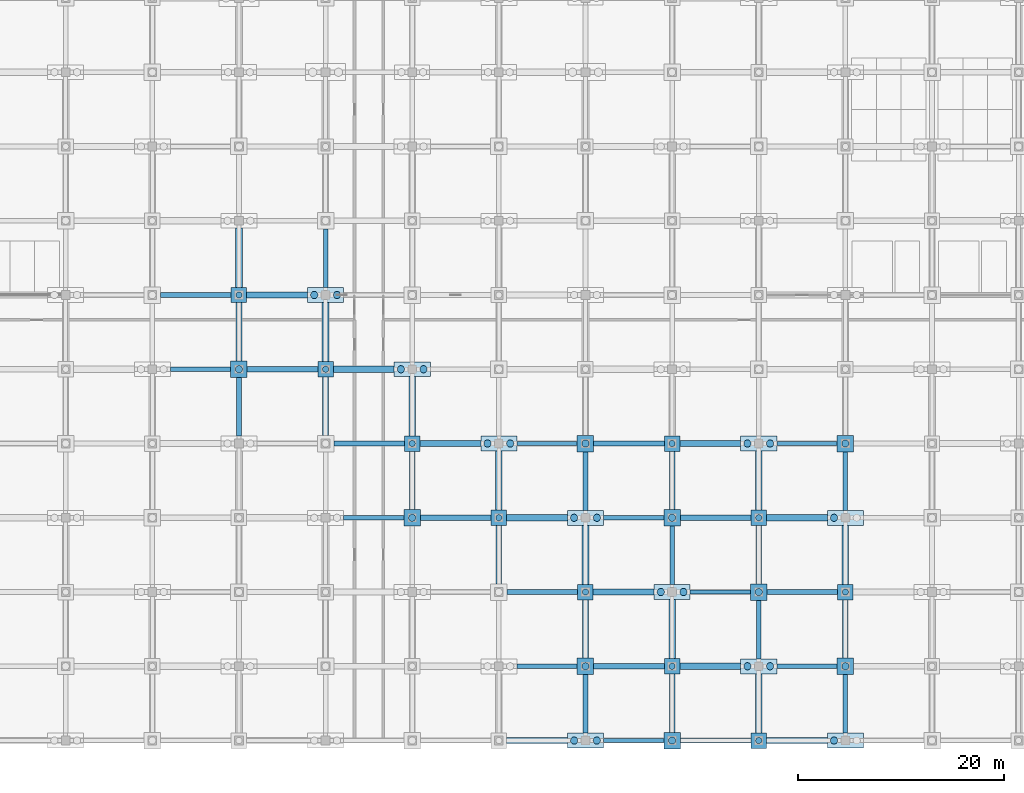
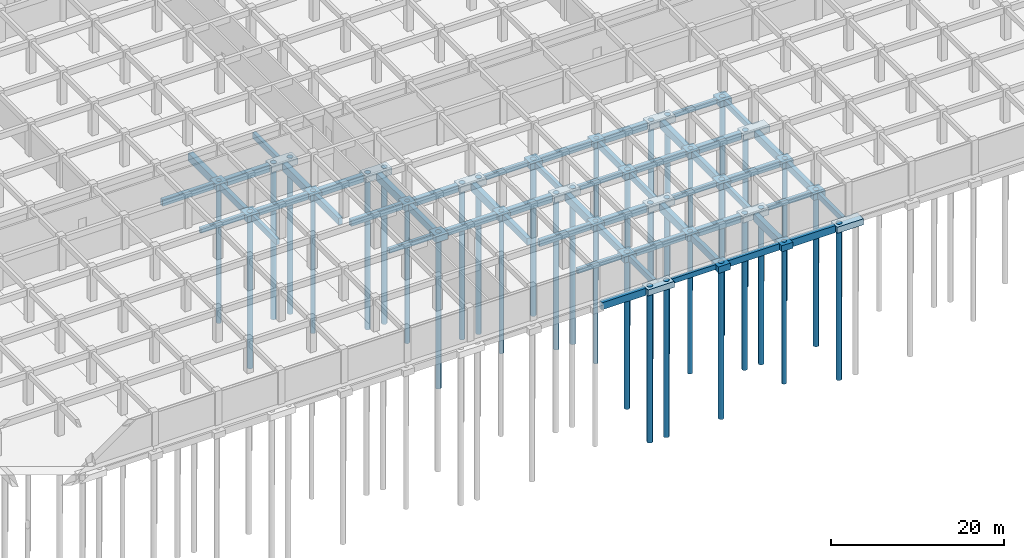
# One storey, part 4 of 85: 84 footings, 37 piles.
"""IFC4 building model written with IfcOpenShell, lengths in metres."""

from ifc_helpers import new_model, si_unit, direction, frame, origin, origin_2d, place, context, subcontext, project, spatial, rectangle, circle, extrude, material, material_profile, profile_set, type_object, element, save


model = new_model("IFC4")

# Units and contexts
model_context = context("Model", 3, precision=1e-05, world=origin(), true_north=direction((0.0, 1.0)))
body_context = subcontext(model_context, "Body", "Model", "MODEL_VIEW")
ifc_project = project(units=[si_unit("LENGTHUNIT", "METRE"), si_unit("AREAUNIT", "SQUARE_METRE"), si_unit("VOLUMEUNIT", "CUBIC_METRE"), si_unit("PLANEANGLEUNIT", "RADIAN"), si_unit("MASSUNIT", "GRAM", prefix="KILO")], contexts=[model_context])

# Site, building, storey
site_placement = place(None, origin())
site = spatial("IfcSite", under=ifc_project, at=site_placement, CompositionType="ELEMENT")
building_placement = place(site_placement, origin())
building = spatial("IfcBuilding", under=site, at=building_placement, Name="Chengyuan Square Courthouse", CompositionType="ELEMENT")
storey_placement = place(building_placement, frame((0.0, 0.0, -10.199951171875)))
storey = spatial("IfcBuildingStorey", under=building, at=storey_placement, Name="B02", CompositionType="ELEMENT", Elevation=-10.199951171875)

# Footings
ifc_material = material(Name="Concrete C40", Category="concrete")
ifc_material_profile_1 = material_profile(ifc_material, rectangle(XDim=0.39990234375, YDim=0.699951171875, at=origin_2d()), Name="GB-400x700")
ifc_profile_set_1 = profile_set([ifc_material_profile_1], Name="Concrete C40")
footing_type_1 = type_object("IfcFootingType", Name="GB-01", PredefinedType="FOOTING_BEAM", material=ifc_profile_set_1)
footing_1_placement = place(storey_placement, frame((102.550048828125, 0.0, -1.150146484375), z_axis=(1.0, 0.0, 0.0), x_axis=(0.0, 1.0, 0.0)))
element("IfcFooting", 1, at=footing_1_placement, inside=storey, type_object=footing_type_1, Name="Ground Tie Beam GB-B02-0013", PredefinedType="FOOTING_BEAM", context=body_context, shape_type="SweptSolid", body=[
    extrude(rectangle(XDim=0.39990234375, YDim=0.699951171875, at=origin_2d()), origin(), (0.0, 0.0, 1.0), 5.849853515625),
])
footing_2_placement = place(storey_placement, frame((94.14990234375, 7.199951171875, -1.150146484375), z_axis=(1.0, 0.0, 0.0), x_axis=(0.0, 1.0, 0.0)))
element("IfcFooting", 2, at=footing_2_placement, inside=storey, type_object=footing_type_1, Name="Ground Tie Beam GB-B02-0032", PredefinedType="FOOTING_BEAM", context=body_context, shape_type="SweptSolid", body=[
    extrude(rectangle(XDim=0.39990234375, YDim=0.699951171875, at=origin_2d()), origin(), (0.0, 0.0, 1.0), 5.85009765625),
])
footing_3_placement = place(storey_placement, frame((119.35009765625, 7.199951171875, -1.150146484375), z_axis=(1.0, 0.0, 0.0), x_axis=(0.0, 1.0, 0.0)))
element("IfcFooting", 3, at=footing_3_placement, inside=storey, type_object=footing_type_1, Name="Ground Tie Beam GB-B02-0035", PredefinedType="FOOTING_BEAM", context=body_context, shape_type="SweptSolid", body=[
    extrude(rectangle(XDim=0.39990234375, YDim=0.699951171875, at=origin_2d()), origin(), (0.0, 0.0, 1.0), 5.849853515625),
])
footing_4_placement = place(storey_placement, frame((110.949951171875, 14.39990234375, -1.150146484375), z_axis=(1.0, 0.0, 0.0), x_axis=(0.0, 1.0, 0.0)))
element("IfcFooting", 4, at=footing_4_placement, inside=storey, type_object=footing_type_1, Name="Ground Tie Beam GB-B02-0054", PredefinedType="FOOTING_BEAM", context=body_context, shape_type="SweptSolid", body=[
    extrude(rectangle(XDim=0.39990234375, YDim=0.699951171875, at=origin_2d()), origin(), (0.0, 0.0, 1.0), 5.85009765625),
])
for number, where, z_axis, x_axis, name in (
    (5, (77.35009765625, 21.60009765625, -1.150146484375), (1.0, 0.0, 0.0), (0.0, 1.0, 0.0), "Ground Tie Beam GB-B02-0070"),
    (6, (102.550048828125, 21.60009765625, -1.150146484375), (1.0, 0.0, 0.0), (0.0, 1.0, 0.0), "Ground Tie Beam GB-B02-0073"),
):
    element("IfcFooting", number, at=place(storey_placement, frame(where, z_axis=z_axis, x_axis=x_axis)), inside=storey, type_object=footing_type_1, Name=name, PredefinedType="FOOTING_BEAM", context=body_context, shape_type="SweptSolid", body=[
        extrude(rectangle(XDim=0.39990234375, YDim=0.699951171875, at=origin_2d()), origin(), (0.0, 0.0, 1.0), 5.849853515625),
    ])
footing_5_placement = place(storey_placement, frame((94.14990234375, 28.800048828125, -1.150146484375), z_axis=(1.0, 0.0, 0.0), x_axis=(0.0, 1.0, 0.0)))
element("IfcFooting", 7, at=footing_5_placement, inside=storey, type_object=footing_type_1, Name="Ground Tie Beam GB-B02-0092", PredefinedType="FOOTING_BEAM", context=body_context, shape_type="SweptSolid", body=[
    extrude(rectangle(XDim=0.39990234375, YDim=0.699951171875, at=origin_2d()), origin(), (0.0, 0.0, 1.0), 5.85009765625),
])
for number, where, z_axis, x_axis, name in (
    (8, (119.35009765625, 28.800048828125, -1.150146484375), (1.0, 0.0, 0.0), (0.0, 1.0, 0.0), "Ground Tie Beam GB-B02-0095"),
    (9, (60.550048828125, 36.0, -1.150146484375), (1.0, 0.0, 0.0), (0.0, 1.0, 0.0), "Ground Tie Beam GB-B02-0108"),
):
    element("IfcFooting", number, at=place(storey_placement, frame(where, z_axis=z_axis, x_axis=x_axis)), inside=storey, type_object=footing_type_1, Name=name, PredefinedType="FOOTING_BEAM", context=body_context, shape_type="SweptSolid", body=[
        extrude(rectangle(XDim=0.39990234375, YDim=0.699951171875, at=origin_2d()), origin(), (0.0, 0.0, 1.0), 5.849853515625),
    ])
ifc_material_profile_2 = material_profile(ifc_material, rectangle(XDim=0.449951171875, YDim=0.800048828125, at=origin_2d()), Name="GB-450x800")
ifc_profile_set_2 = profile_set([ifc_material_profile_2], Name="Concrete C40")
footing_type_2 = type_object("IfcFootingType", Name="GB-02", PredefinedType="FOOTING_BEAM", material=ifc_profile_set_2)
for number, where, z_axis, x_axis, name in (
    (10, (67.199951171875, 29.52490234375, -1.199951171875), (0.0, 1.0, 0.0), (-1.0, 0.0, 0.0), "Ground Tie Beam GB-B02-0479"),
    (11, (75.60009765625, 43.925048828125, -1.199951171875), (0.0, 1.0, 0.0), (-1.0, 0.0, 0.0), "Ground Tie Beam GB-B02-0497"),
):
    element("IfcFooting", number, at=place(storey_placement, frame(where, z_axis=z_axis, x_axis=x_axis)), inside=storey, type_object=footing_type_2, Name=name, PredefinedType="FOOTING_BEAM", context=body_context, shape_type="SweptSolid", body=[
        extrude(rectangle(XDim=0.449951171875, YDim=0.800048828125, at=origin_2d()), origin(), (0.0, 0.0, 1.0), 5.675048828125),
    ])
footing_6_placement = place(storey_placement, frame((100.800048828125, 0.72509765625, -1.199951171875), z_axis=(0.0, 1.0, 0.0), x_axis=(-1.0, 0.0, 0.0)))
element("IfcFooting", 12, at=footing_6_placement, inside=storey, type_object=footing_type_2, Name="Ground Tie Beam GB-B02-0539", PredefinedType="FOOTING_BEAM", context=body_context, shape_type="SweptSolid", body=[
    extrude(rectangle(XDim=0.449951171875, YDim=0.800048828125, at=origin_2d()), origin(), (0.0, 0.0, 1.0), 5.6748046875),
])
for number, where, z_axis, x_axis, name in (
    (13, (100.800048828125, 22.324951171875, -1.199951171875), (0.0, 1.0, 0.0), (-1.0, 0.0, 0.0), "Ground Tie Beam GB-B02-0542"),
    (14, (109.199951171875, 15.125, -1.199951171875), (0.0, 1.0, 0.0), (-1.0, 0.0, 0.0), "Ground Tie Beam GB-B02-0557"),
    (15, (117.60009765625, 7.925048828125, -1.199951171875), (0.0, 1.0, 0.0), (-1.0, 0.0, 0.0), "Ground Tie Beam GB-B02-0572"),
):
    element("IfcFooting", number, at=place(storey_placement, frame(where, z_axis=z_axis, x_axis=x_axis)), inside=storey, type_object=footing_type_2, Name=name, PredefinedType="FOOTING_BEAM", context=body_context, shape_type="SweptSolid", body=[
        extrude(rectangle(XDim=0.449951171875, YDim=0.800048828125, at=origin_2d()), origin(), (0.0, 0.0, 1.0), 5.675048828125),
    ])
footing_7_placement = place(storey_placement, frame((126.0, 0.72509765625, -1.199951171875), z_axis=(0.0, 1.0, 0.0), x_axis=(-1.0, 0.0, 0.0)))
element("IfcFooting", 16, at=footing_7_placement, inside=storey, type_object=footing_type_2, Name="Ground Tie Beam GB-B02-0587", PredefinedType="FOOTING_BEAM", context=body_context, shape_type="SweptSolid", body=[
    extrude(rectangle(XDim=0.449951171875, YDim=0.800048828125, at=origin_2d()), origin(), (0.0, 0.0, 1.0), 5.6748046875),
])
footing_8_placement = place(storey_placement, frame((126.0, 22.324951171875, -1.199951171875), z_axis=(0.0, 1.0, 0.0), x_axis=(-1.0, 0.0, 0.0)))
element("IfcFooting", 17, at=footing_8_placement, inside=storey, type_object=footing_type_2, Name="Ground Tie Beam GB-B02-0590", PredefinedType="FOOTING_BEAM", context=body_context, shape_type="SweptSolid", body=[
    extrude(rectangle(XDim=0.449951171875, YDim=0.800048828125, at=origin_2d()), origin(), (0.0, 0.0, 1.0), 5.675048828125),
])
ifc_material_profile_3 = material_profile(ifc_material, rectangle(XDim=0.5, YDim=0.89990234375, at=origin_2d()), Name="GB-500x900")
ifc_profile_set_3 = profile_set([ifc_material_profile_3], Name="Concrete C40")
footing_type_3 = type_object("IfcFootingType", Name="GB-03", PredefinedType="FOOTING_BEAM", material=ifc_profile_set_3)
footing_9_placement = place(storey_placement, frame((110.0, 0.0, -1.25), z_axis=(1.0, 0.0, 0.0), x_axis=(0.0, 1.0, 0.0)))
element("IfcFooting", 18, at=footing_9_placement, inside=storey, type_object=footing_type_3, Name="Ground Tie Beam GB-B02-0014", PredefinedType="FOOTING_BEAM", context=body_context, shape_type="SweptSolid", body=[
    extrude(rectangle(XDim=0.5, YDim=0.89990234375, at=origin_2d()), origin(), (0.0, 0.0, 1.0), 6.85009765625),
])
footing_10_placement = place(storey_placement, frame((101.60009765625, 7.199951171875, -1.25), z_axis=(1.0, 0.0, 0.0), x_axis=(0.0, 1.0, 0.0)))
element("IfcFooting", 19, at=footing_10_placement, inside=storey, type_object=footing_type_3, Name="Ground Tie Beam GB-B02-0033", PredefinedType="FOOTING_BEAM", context=body_context, shape_type="SweptSolid", body=[
    extrude(rectangle(XDim=0.5, YDim=0.89990234375, at=origin_2d()), origin(), (0.0, 0.0, 1.0), 6.849853515625),
])
for number, where, z_axis, x_axis, name in (
    (20, (93.199951171875, 14.39990234375, -1.25), (1.0, 0.0, 0.0), (0.0, 1.0, 0.0), "Ground Tie Beam GB-B02-0052"),
    (21, (118.39990234375, 14.39990234375, -1.25), (1.0, 0.0, 0.0), (0.0, 1.0, 0.0), "Ground Tie Beam GB-B02-0055"),
):
    element("IfcFooting", number, at=place(storey_placement, frame(where, z_axis=z_axis, x_axis=x_axis)), inside=storey, type_object=footing_type_3, Name=name, PredefinedType="FOOTING_BEAM", context=body_context, shape_type="SweptSolid", body=[
        extrude(rectangle(XDim=0.5, YDim=0.89990234375, at=origin_2d()), origin(), (0.0, 0.0, 1.0), 6.85009765625),
    ])
footing_11_placement = place(storey_placement, frame((84.800048828125, 21.60009765625, -1.25), z_axis=(1.0, 0.0, 0.0), x_axis=(0.0, 1.0, 0.0)))
element("IfcFooting", 22, at=footing_11_placement, inside=storey, type_object=footing_type_3, Name="Ground Tie Beam GB-B02-0071", PredefinedType="FOOTING_BEAM", context=body_context, shape_type="SweptSolid", body=[
    extrude(rectangle(XDim=0.5, YDim=0.89990234375, at=origin_2d()), origin(), (0.0, 0.0, 1.0), 6.849853515625),
])
for number, where, z_axis, x_axis, name in (
    (23, (110.0, 21.60009765625, -1.25), (1.0, 0.0, 0.0), (0.0, 1.0, 0.0), "Ground Tie Beam GB-B02-0074"),
    (24, (76.39990234375, 28.800048828125, -1.25), (1.0, 0.0, 0.0), (0.0, 1.0, 0.0), "Ground Tie Beam GB-B02-0090"),
):
    element("IfcFooting", number, at=place(storey_placement, frame(where, z_axis=z_axis, x_axis=x_axis)), inside=storey, type_object=footing_type_3, Name=name, PredefinedType="FOOTING_BEAM", context=body_context, shape_type="SweptSolid", body=[
        extrude(rectangle(XDim=0.5, YDim=0.89990234375, at=origin_2d()), origin(), (0.0, 0.0, 1.0), 6.85009765625),
    ])
footing_12_placement = place(storey_placement, frame((101.60009765625, 28.800048828125, -1.25), z_axis=(1.0, 0.0, 0.0), x_axis=(0.0, 1.0, 0.0)))
element("IfcFooting", 25, at=footing_12_placement, inside=storey, type_object=footing_type_3, Name="Ground Tie Beam GB-B02-0093", PredefinedType="FOOTING_BEAM", context=body_context, shape_type="SweptSolid", body=[
    extrude(rectangle(XDim=0.5, YDim=0.89990234375, at=origin_2d()), origin(), (0.0, 0.0, 1.0), 6.849853515625),
])
footing_13_placement = place(storey_placement, frame((68.0, 36.0, -1.25), z_axis=(1.0, 0.0, 0.0), x_axis=(0.0, 1.0, 0.0)))
element("IfcFooting", 26, at=footing_13_placement, inside=storey, type_object=footing_type_3, Name="Ground Tie Beam GB-B02-0109", PredefinedType="FOOTING_BEAM", context=body_context, shape_type="SweptSolid", body=[
    extrude(rectangle(XDim=0.5, YDim=0.89990234375, at=origin_2d()), origin(), (0.0, 0.0, 1.0), 6.85009765625),
])
footing_14_placement = place(storey_placement, frame((59.60009765625, 43.199951171875, -1.25), z_axis=(1.0, 0.0, 0.0), x_axis=(0.0, 1.0, 0.0)))
element("IfcFooting", 27, at=footing_14_placement, inside=storey, type_object=footing_type_3, Name="Ground Tie Beam GB-B02-0128", PredefinedType="FOOTING_BEAM", context=body_context, shape_type="SweptSolid", body=[
    extrude(rectangle(XDim=0.5, YDim=0.89990234375, at=origin_2d()), origin(), (0.0, 0.0, 1.0), 6.849853515625),
])
ifc_material_profile_4 = material_profile(ifc_material, rectangle(XDim=0.550048828125, YDim=0.949951171875, at=origin_2d()), Name="GB-550x950")
ifc_profile_set_4 = profile_set([ifc_material_profile_4], Name="Concrete C40")
footing_type_4 = type_object("IfcFootingType", Name="GB-04", PredefinedType="FOOTING_BEAM", material=ifc_profile_set_4)
for number, where, z_axis, x_axis, name in (
    (28, (67.199951171875, 36.800048828125, -1.275146484375), (0.0, 1.0, 0.0), (-1.0, 0.0, 0.0), "Ground Tie Beam GB-B02-0480"),
    (29, (75.60009765625, 29.60009765625, -1.275146484375), (0.0, 1.0, 0.0), (-1.0, 0.0, 0.0), "Ground Tie Beam GB-B02-0495"),
):
    element("IfcFooting", number, at=place(storey_placement, frame(where, z_axis=z_axis, x_axis=x_axis)), inside=storey, type_object=footing_type_4, Name=name, PredefinedType="FOOTING_BEAM", context=body_context, shape_type="SweptSolid", body=[
        extrude(rectangle(XDim=0.550048828125, YDim=0.949951171875, at=origin_2d()), origin(), (0.0, 0.0, 1.0), 5.64990234375),
    ])
for number, where, z_axis, x_axis, name in (
    (30, (84.0, 22.39990234375, -1.275146484375), (0.0, 1.0, 0.0), (-1.0, 0.0, 0.0), "Ground Tie Beam GB-B02-0510"),
    (31, (92.39990234375, 15.199951171875, -1.275146484375), (0.0, 1.0, 0.0), (-1.0, 0.0, 0.0), "Ground Tie Beam GB-B02-0525"),
):
    element("IfcFooting", number, at=place(storey_placement, frame(where, z_axis=z_axis, x_axis=x_axis)), inside=storey, type_object=footing_type_4, Name=name, PredefinedType="FOOTING_BEAM", context=body_context, shape_type="SweptSolid", body=[
        extrude(rectangle(XDim=0.550048828125, YDim=0.949951171875, at=origin_2d()), origin(), (0.0, 0.0, 1.0), 5.650146484375),
    ])
for number, where, z_axis, x_axis, name in (
    (32, (100.800048828125, 8.0, -1.275146484375), (0.0, 1.0, 0.0), (-1.0, 0.0, 0.0), "Ground Tie Beam GB-B02-0540"),
    (33, (109.199951171875, 0.800048828125, -1.275146484375), (0.0, 1.0, 0.0), (-1.0, 0.0, 0.0), "Ground Tie Beam GB-B02-0555"),
):
    element("IfcFooting", number, at=place(storey_placement, frame(where, z_axis=z_axis, x_axis=x_axis)), inside=storey, type_object=footing_type_4, Name=name, PredefinedType="FOOTING_BEAM", context=body_context, shape_type="SweptSolid", body=[
        extrude(rectangle(XDim=0.550048828125, YDim=0.949951171875, at=origin_2d()), origin(), (0.0, 0.0, 1.0), 5.64990234375),
    ])
for number, where, z_axis, x_axis, name in (
    (34, (109.199951171875, 22.39990234375, -1.275146484375), (0.0, 1.0, 0.0), (-1.0, 0.0, 0.0), "Ground Tie Beam GB-B02-0558"),
    (35, (117.60009765625, 15.199951171875, -1.275146484375), (0.0, 1.0, 0.0), (-1.0, 0.0, 0.0), "Ground Tie Beam GB-B02-0573"),
):
    element("IfcFooting", number, at=place(storey_placement, frame(where, z_axis=z_axis, x_axis=x_axis)), inside=storey, type_object=footing_type_4, Name=name, PredefinedType="FOOTING_BEAM", context=body_context, shape_type="SweptSolid", body=[
        extrude(rectangle(XDim=0.550048828125, YDim=0.949951171875, at=origin_2d()), origin(), (0.0, 0.0, 1.0), 5.650146484375),
    ])
footing_15_placement = place(storey_placement, frame((126.0, 8.0, -1.275146484375), z_axis=(0.0, 1.0, 0.0), x_axis=(-1.0, 0.0, 0.0)))
element("IfcFooting", 36, at=footing_15_placement, inside=storey, type_object=footing_type_4, Name="Ground Tie Beam GB-B02-0588", PredefinedType="FOOTING_BEAM", context=body_context, shape_type="SweptSolid", body=[
    extrude(rectangle(XDim=0.550048828125, YDim=0.949951171875, at=origin_2d()), origin(), (0.0, 0.0, 1.0), 5.64990234375),
])
ifc_material_profile_5 = material_profile(ifc_material, rectangle(XDim=0.60009765625, YDim=1.0, at=origin_2d()), Name="GB-600x1000")
ifc_profile_set_5 = profile_set([ifc_material_profile_5], Name="Concrete C40")
footing_type_5 = type_object("IfcFootingType", Name="GB-05", PredefinedType="FOOTING_BEAM", material=ifc_profile_set_5)
footing_16_placement = place(storey_placement, frame((93.14990234375, 0.0, -1.300048828125), z_axis=(1.0, 0.0, 0.0), x_axis=(0.0, 1.0, 0.0)))
element("IfcFooting", 37, at=footing_16_placement, inside=storey, type_object=footing_type_5, Name="Ground Tie Beam GB-B02-0012", PredefinedType="FOOTING_BEAM", context=body_context, shape_type="SweptSolid", body=[
    extrude(rectangle(XDim=0.60009765625, YDim=1.0, at=origin_2d()), origin(), (0.0, 0.0, 1.0), 5.900146484375),
])
footing_17_placement = place(storey_placement, frame((118.35009765625, 0.0, -1.300048828125), z_axis=(1.0, 0.0, 0.0), x_axis=(0.0, 1.0, 0.0)))
element("IfcFooting", 38, at=footing_17_placement, inside=storey, type_object=footing_type_5, Name="Ground Tie Beam GB-B02-0015", PredefinedType="FOOTING_BEAM", context=body_context, shape_type="SweptSolid", body=[
    extrude(rectangle(XDim=0.60009765625, YDim=1.0, at=origin_2d()), origin(), (0.0, 0.0, 1.0), 5.89990234375),
])
footing_18_placement = place(storey_placement, frame((109.949951171875, 7.199951171875, -1.300048828125), z_axis=(1.0, 0.0, 0.0), x_axis=(0.0, 1.0, 0.0)))
element("IfcFooting", 39, at=footing_18_placement, inside=storey, type_object=footing_type_5, Name="Ground Tie Beam GB-B02-0034", PredefinedType="FOOTING_BEAM", context=body_context, shape_type="SweptSolid", body=[
    extrude(rectangle(XDim=0.60009765625, YDim=1.0, at=origin_2d()), origin(), (0.0, 0.0, 1.0), 5.900146484375),
])
footing_19_placement = place(storey_placement, frame((101.550048828125, 14.39990234375, -1.300048828125), z_axis=(1.0, 0.0, 0.0), x_axis=(0.0, 1.0, 0.0)))
element("IfcFooting", 40, at=footing_19_placement, inside=storey, type_object=footing_type_5, Name="Ground Tie Beam GB-B02-0053", PredefinedType="FOOTING_BEAM", context=body_context, shape_type="SweptSolid", body=[
    extrude(rectangle(XDim=0.60009765625, YDim=1.0, at=origin_2d()), origin(), (0.0, 0.0, 1.0), 5.89990234375),
])
footing_20_placement = place(storey_placement, frame((93.14990234375, 21.60009765625, -1.300048828125), z_axis=(1.0, 0.0, 0.0), x_axis=(0.0, 1.0, 0.0)))
element("IfcFooting", 41, at=footing_20_placement, inside=storey, type_object=footing_type_5, Name="Ground Tie Beam GB-B02-0072", PredefinedType="FOOTING_BEAM", context=body_context, shape_type="SweptSolid", body=[
    extrude(rectangle(XDim=0.60009765625, YDim=1.0, at=origin_2d()), origin(), (0.0, 0.0, 1.0), 5.900146484375),
])
for number, where, z_axis, x_axis, name in (
    (42, (118.35009765625, 21.60009765625, -1.300048828125), (1.0, 0.0, 0.0), (0.0, 1.0, 0.0), "Ground Tie Beam GB-B02-0075"),
    (43, (84.75, 28.800048828125, -1.300048828125), (1.0, 0.0, 0.0), (0.0, 1.0, 0.0), "Ground Tie Beam GB-B02-0091"),
):
    element("IfcFooting", number, at=place(storey_placement, frame(where, z_axis=z_axis, x_axis=x_axis)), inside=storey, type_object=footing_type_5, Name=name, PredefinedType="FOOTING_BEAM", context=body_context, shape_type="SweptSolid", body=[
        extrude(rectangle(XDim=0.60009765625, YDim=1.0, at=origin_2d()), origin(), (0.0, 0.0, 1.0), 5.89990234375),
    ])
footing_21_placement = place(storey_placement, frame((109.949951171875, 28.800048828125, -1.300048828125), z_axis=(1.0, 0.0, 0.0), x_axis=(0.0, 1.0, 0.0)))
element("IfcFooting", 44, at=footing_21_placement, inside=storey, type_object=footing_type_5, Name="Ground Tie Beam GB-B02-0094", PredefinedType="FOOTING_BEAM", context=body_context, shape_type="SweptSolid", body=[
    extrude(rectangle(XDim=0.60009765625, YDim=1.0, at=origin_2d()), origin(), (0.0, 0.0, 1.0), 5.900146484375),
])
footing_22_placement = place(storey_placement, frame((76.35009765625, 36.0, -1.300048828125), z_axis=(1.0, 0.0, 0.0), x_axis=(0.0, 1.0, 0.0)))
element("IfcFooting", 45, at=footing_22_placement, inside=storey, type_object=footing_type_5, Name="Ground Tie Beam GB-B02-0110", PredefinedType="FOOTING_BEAM", context=body_context, shape_type="SweptSolid", body=[
    extrude(rectangle(XDim=0.60009765625, YDim=1.0, at=origin_2d()), origin(), (0.0, 0.0, 1.0), 5.89990234375),
])
footing_23_placement = place(storey_placement, frame((67.949951171875, 43.199951171875, -1.300048828125), z_axis=(1.0, 0.0, 0.0), x_axis=(0.0, 1.0, 0.0)))
element("IfcFooting", 46, at=footing_23_placement, inside=storey, type_object=footing_type_5, Name="Ground Tie Beam GB-B02-0129", PredefinedType="FOOTING_BEAM", context=body_context, shape_type="SweptSolid", body=[
    extrude(rectangle(XDim=0.60009765625, YDim=1.0, at=origin_2d()), origin(), (0.0, 0.0, 1.0), 5.900146484375),
])
ifc_material_profile_6 = material_profile(ifc_material, rectangle(XDim=0.64990234375, YDim=1.10009765625, at=origin_2d()), Name="GB-650x1100")
ifc_profile_set_6 = profile_set([ifc_material_profile_6], Name="Concrete C40")
footing_type_6 = type_object("IfcFootingType", Name="GB-06", PredefinedType="FOOTING_BEAM", material=ifc_profile_set_6)
for number, where, z_axis, x_axis, name in (
    (47, (67.199951171875, 43.949951171875, -1.35009765625), (0.0, 1.0, 0.0), (-1.0, 0.0, 0.0), "Ground Tie Beam GB-B02-0481"),
    (48, (75.60009765625, 36.75, -1.35009765625), (0.0, 1.0, 0.0), (-1.0, 0.0, 0.0), "Ground Tie Beam GB-B02-0496"),
):
    element("IfcFooting", number, at=place(storey_placement, frame(where, z_axis=z_axis, x_axis=x_axis)), inside=storey, type_object=footing_type_6, Name=name, PredefinedType="FOOTING_BEAM", context=body_context, shape_type="SweptSolid", body=[
        extrude(rectangle(XDim=0.64990234375, YDim=1.10009765625, at=origin_2d()), origin(), (0.0, 0.0, 1.0), 5.72509765625),
    ])
for number, where, z_axis, x_axis, name in (
    (49, (84.0, 29.550048828125, -1.35009765625), (0.0, 1.0, 0.0), (-1.0, 0.0, 0.0), "Ground Tie Beam GB-B02-0511"),
    (50, (92.39990234375, 22.35009765625, -1.35009765625), (0.0, 1.0, 0.0), (-1.0, 0.0, 0.0), "Ground Tie Beam GB-B02-0526"),
):
    element("IfcFooting", number, at=place(storey_placement, frame(where, z_axis=z_axis, x_axis=x_axis)), inside=storey, type_object=footing_type_6, Name=name, PredefinedType="FOOTING_BEAM", context=body_context, shape_type="SweptSolid", body=[
        extrude(rectangle(XDim=0.64990234375, YDim=1.10009765625, at=origin_2d()), origin(), (0.0, 0.0, 1.0), 5.724853515625),
    ])
for number, where, z_axis, x_axis, name in (
    (51, (100.800048828125, 15.14990234375, -1.35009765625), (0.0, 1.0, 0.0), (-1.0, 0.0, 0.0), "Ground Tie Beam GB-B02-0541"),
    (52, (109.199951171875, 7.949951171875, -1.35009765625), (0.0, 1.0, 0.0), (-1.0, 0.0, 0.0), "Ground Tie Beam GB-B02-0556"),
    (53, (117.60009765625, 0.75, -1.35009765625), (0.0, 1.0, 0.0), (-1.0, 0.0, 0.0), "Ground Tie Beam GB-B02-0571"),
):
    element("IfcFooting", number, at=place(storey_placement, frame(where, z_axis=z_axis, x_axis=x_axis)), inside=storey, type_object=footing_type_6, Name=name, PredefinedType="FOOTING_BEAM", context=body_context, shape_type="SweptSolid", body=[
        extrude(rectangle(XDim=0.64990234375, YDim=1.10009765625, at=origin_2d()), origin(), (0.0, 0.0, 1.0), 5.72509765625),
    ])
footing_24_placement = place(storey_placement, frame((117.60009765625, 22.35009765625, -1.35009765625), z_axis=(0.0, 1.0, 0.0), x_axis=(-1.0, 0.0, 0.0)))
element("IfcFooting", 54, at=footing_24_placement, inside=storey, type_object=footing_type_6, Name="Ground Tie Beam GB-B02-0574", PredefinedType="FOOTING_BEAM", context=body_context, shape_type="SweptSolid", body=[
    extrude(rectangle(XDim=0.64990234375, YDim=1.10009765625, at=origin_2d()), origin(), (0.0, 0.0, 1.0), 5.724853515625),
])
footing_25_placement = place(storey_placement, frame((126.0, 15.14990234375, -1.35009765625), z_axis=(0.0, 1.0, 0.0), x_axis=(-1.0, 0.0, 0.0)))
element("IfcFooting", 55, at=footing_25_placement, inside=storey, type_object=footing_type_6, Name="Ground Tie Beam GB-B02-0589", PredefinedType="FOOTING_BEAM", context=body_context, shape_type="SweptSolid", body=[
    extrude(rectangle(XDim=0.64990234375, YDim=1.10009765625, at=origin_2d()), origin(), (0.0, 0.0, 1.0), 5.72509765625),
])
footing_type_7 = type_object("IfcFootingType", Name="PC-19", PredefinedType="PILE_CAP", material=ifc_material)
for number, where, z_axis, x_axis, name in (
    (56, (75.60009765625, 43.199951171875, -1.650146484375), (0.0, 0.0, 1.0), (1.0, 0.0, 0.0), "Pile Cap PC-B02-160"),
    (57, (84.0, 36.0, -1.650146484375), (0.0, 0.0, 1.0), (1.0, 0.0, 0.0), "Pile Cap PC-B02-176"),
    (58, (92.39990234375, 28.800048828125, -1.650146484375), (0.0, 0.0, 1.0), (1.0, 0.0, 0.0), "Pile Cap PC-B02-192"),
    (59, (100.800048828125, 0.0, -1.650146484375), (0.0, 0.0, 1.0), (1.0, 0.0, 0.0), "Pile Cap PC-B02-205"),
    (60, (100.800048828125, 21.60009765625, -1.650146484375), (0.0, 0.0, 1.0), (1.0, 0.0, 0.0), "Pile Cap PC-B02-208"),
    (61, (109.199951171875, 14.39990234375, -1.650146484375), (0.0, 0.0, 1.0), (1.0, 0.0, 0.0), "Pile Cap PC-B02-224"),
    (62, (117.60009765625, 7.199951171875, -1.650146484375), (0.0, 0.0, 1.0), (1.0, 0.0, 0.0), "Pile Cap PC-B02-240"),
    (63, (117.60009765625, 28.800048828125, -1.650146484375), (0.0, 0.0, 1.0), (1.0, 0.0, 0.0), "Pile Cap PC-B02-243"),
    (64, (126.0, 0.0, -1.650146484375), (0.0, 0.0, 1.0), (1.0, 0.0, 0.0), "Pile Cap PC-B02-256"),
    (65, (126.0, 21.60009765625, -1.650146484375), (0.0, 0.0, 1.0), (1.0, 0.0, 0.0), "Pile Cap PC-B02-259"),
):
    element("IfcFooting", number, at=place(storey_placement, frame(where, z_axis=z_axis, x_axis=x_axis)), inside=storey, type_object=footing_type_7, Name=name, PredefinedType="PILE_CAP", context=body_context, shape_type="SweptSolid", body=[
        extrude(rectangle(XDim=3.5, YDim=1.449951171875, at=origin_2d()), origin(), (0.0, 0.0, 1.0), 0.85009765625),
    ])
footing_type_8 = type_object("IfcFootingType", Name="PC-20", PredefinedType="PILE_CAP", material=ifc_material)
for number, where, z_axis, x_axis, name in (
    (66, (67.199951171875, 36.0, -1.699951171875), (0.0, 0.0, 1.0), (1.0, 0.0, 0.0), "Pile Cap PC-B02-142"),
    (67, (84.0, 21.60009765625, -1.699951171875), (0.0, 0.0, 1.0), (1.0, 0.0, 0.0), "Pile Cap PC-B02-174"),
    (68, (100.800048828125, 7.199951171875, -1.699951171875), (0.0, 0.0, 1.0), (1.0, 0.0, 0.0), "Pile Cap PC-B02-206"),
    (69, (100.800048828125, 28.800048828125, -1.699951171875), (0.0, 0.0, 1.0), (1.0, 0.0, 0.0), "Pile Cap PC-B02-209"),
    (70, (109.199951171875, 0.0, -1.699951171875), (0.0, 0.0, 1.0), (1.0, 0.0, 0.0), "Pile Cap PC-B02-222"),
    (71, (109.199951171875, 21.60009765625, -1.699951171875), (0.0, 0.0, 1.0), (1.0, 0.0, 0.0), "Pile Cap PC-B02-225"),
    (72, (117.60009765625, 14.39990234375, -1.699951171875), (0.0, 0.0, 1.0), (1.0, 0.0, 0.0), "Pile Cap PC-B02-241"),
    (73, (126.0, 7.199951171875, -1.699951171875), (0.0, 0.0, 1.0), (1.0, 0.0, 0.0), "Pile Cap PC-B02-257"),
    (74, (126.0, 28.800048828125, -1.699951171875), (0.0, 0.0, 1.0), (1.0, 0.0, 0.0), "Pile Cap PC-B02-260"),
):
    element("IfcFooting", number, at=place(storey_placement, frame(where, z_axis=z_axis, x_axis=x_axis)), inside=storey, type_object=footing_type_8, Name=name, PredefinedType="PILE_CAP", context=body_context, shape_type="SweptSolid", body=[
        extrude(rectangle(XDim=1.60009765625, YDim=1.60009765625, at=origin_2d()), origin(), (0.0, 0.0, 1.0), 0.89990234375),
    ])
footing_type_9 = type_object("IfcFootingType", Name="PC-21", PredefinedType="PILE_CAP", material=ifc_material)
for number, where, z_axis, x_axis, name in (
    (75, (67.199951171875, 43.199951171875, -1.650146484375), (0.0, 0.0, 1.0), (1.0, 0.0, 0.0), "Pile Cap PC-B02-143"),
    (76, (75.60009765625, 36.0, -1.650146484375), (0.0, 0.0, 1.0), (1.0, 0.0, 0.0), "Pile Cap PC-B02-159"),
    (77, (84.0, 28.800048828125, -1.650146484375), (0.0, 0.0, 1.0), (1.0, 0.0, 0.0), "Pile Cap PC-B02-175"),
    (78, (92.39990234375, 21.60009765625, -1.650146484375), (0.0, 0.0, 1.0), (1.0, 0.0, 0.0), "Pile Cap PC-B02-191"),
    (79, (100.800048828125, 14.39990234375, -1.650146484375), (0.0, 0.0, 1.0), (1.0, 0.0, 0.0), "Pile Cap PC-B02-207"),
    (80, (109.199951171875, 7.199951171875, -1.650146484375), (0.0, 0.0, 1.0), (1.0, 0.0, 0.0), "Pile Cap PC-B02-223"),
    (81, (109.199951171875, 28.800048828125, -1.650146484375), (0.0, 0.0, 1.0), (1.0, 0.0, 0.0), "Pile Cap PC-B02-226"),
    (82, (117.60009765625, 0.0, -1.650146484375), (0.0, 0.0, 1.0), (1.0, 0.0, 0.0), "Pile Cap PC-B02-239"),
    (83, (117.60009765625, 21.60009765625, -1.650146484375), (0.0, 0.0, 1.0), (1.0, 0.0, 0.0), "Pile Cap PC-B02-242"),
    (84, (126.0, 14.39990234375, -1.650146484375), (0.0, 0.0, 1.0), (1.0, 0.0, 0.0), "Pile Cap PC-B02-258"),
):
    element("IfcFooting", number, at=place(storey_placement, frame(where, z_axis=z_axis, x_axis=x_axis)), inside=storey, type_object=footing_type_9, Name=name, PredefinedType="PILE_CAP", context=body_context, shape_type="SweptSolid", body=[
        extrude(rectangle(XDim=1.5, YDim=1.5, at=origin_2d()), origin(), (0.0, 0.0, 1.0), 0.85009765625),
    ])

# Piles
ifc_material_profile_7 = material_profile(ifc_material, circle(Radius=0.300048828125, at=origin_2d()), Name="BORED PILE D600")
ifc_profile_set_7 = profile_set([ifc_material_profile_7], Name="Concrete C40")
pile_type_1 = type_object("IfcPileType", Name="PL-01", PredefinedType="BORED", material=ifc_profile_set_7)
for number, where, z_axis, x_axis, name in (
    (85, (67.199951171875, 43.199951171875, -0.800048828125), (0.0, 0.0, -1.0), (1.0, 0.0, 0.0), "Bored Pile PL-B02-0261"),
    (86, (75.60009765625, 36.0, -0.800048828125), (0.0, 0.0, -1.0), (1.0, 0.0, 0.0), "Bored Pile PL-B02-0300"),
    (87, (84.0, 28.800048828125, -0.800048828125), (0.0, 0.0, -1.0), (1.0, 0.0, 0.0), "Bored Pile PL-B02-0337"),
    (88, (92.39990234375, 21.60009765625, -0.800048828125), (0.0, 0.0, -1.0), (1.0, 0.0, 0.0), "Bored Pile PL-B02-0374"),
    (89, (100.800048828125, 14.39990234375, -0.800048828125), (0.0, 0.0, -1.0), (1.0, 0.0, 0.0), "Bored Pile PL-B02-0413"),
    (90, (109.199951171875, 7.199951171875, -0.800048828125), (0.0, 0.0, -1.0), (1.0, 0.0, 0.0), "Bored Pile PL-B02-0451"),
    (91, (109.199951171875, 28.800048828125, -0.800048828125), (0.0, 0.0, -1.0), (1.0, 0.0, 0.0), "Bored Pile PL-B02-0455"),
    (92, (117.60009765625, 0.0, -0.800048828125), (0.0, 0.0, -1.0), (1.0, 0.0, 0.0), "Bored Pile PL-B02-0487"),
    (93, (117.60009765625, 21.60009765625, -0.800048828125), (0.0, 0.0, -1.0), (1.0, 0.0, 0.0), "Bored Pile PL-B02-0491"),
    (94, (126.0, 14.39990234375, -0.800048828125), (0.0, 0.0, -1.0), (1.0, 0.0, 0.0), "Bored Pile PL-B02-0529"),
):
    element("IfcPile", number, at=place(storey_placement, frame(where, z_axis=z_axis, x_axis=x_axis)), inside=storey, type_object=pile_type_1, Name=name, PredefinedType="BORED", context=body_context, shape_type="SweptSolid", body=[
        extrude(circle(Radius=0.300048828125, at=origin_2d()), origin(), (0.0, 0.0, 1.0), 20.0),
    ])
ifc_material_profile_8 = material_profile(ifc_material, circle(Radius=0.35009765625, at=origin_2d()), Name="BORED PILE D700")
ifc_profile_set_8 = profile_set([ifc_material_profile_8], Name="Concrete C40")
pile_type_2 = type_object("IfcPileType", Name="PL-02", PredefinedType="BORED", material=ifc_profile_set_8)
for number, where, z_axis, x_axis, name in (
    (95, (67.199951171875, 36.0, -0.800048828125), (0.0, 0.0, -1.0), (1.0, 0.0, 0.0), "Bored Pile PL-B02-0260"),
    (96, (74.5, 43.199951171875, -0.800048828125), (0.0, 0.0, -1.0), (1.0, 0.0, 0.0), "Bored Pile PL-B02-0301"),
    (97, (76.699951171875, 43.199951171875, -0.800048828125), (0.0, 0.0, -1.0), (1.0, 0.0, 0.0), "Bored Pile PL-B02-0302"),
    (98, (84.0, 21.60009765625, -0.800048828125), (0.0, 0.0, -1.0), (1.0, 0.0, 0.0), "Bored Pile PL-B02-0336"),
    (99, (82.89990234375, 36.0, -0.800048828125), (0.0, 0.0, -1.0), (1.0, 0.0, 0.0), "Bored Pile PL-B02-0338"),
    (100, (85.10009765625, 36.0, -0.800048828125), (0.0, 0.0, -1.0), (1.0, 0.0, 0.0), "Bored Pile PL-B02-0339"),
    (101, (91.300048828125, 28.800048828125, -0.800048828125), (0.0, 0.0, -1.0), (1.0, 0.0, 0.0), "Bored Pile PL-B02-0375"),
    (102, (93.5, 28.800048828125, -0.800048828125), (0.0, 0.0, -1.0), (1.0, 0.0, 0.0), "Bored Pile PL-B02-0376"),
    (103, (99.699951171875, 0.0, -0.800048828125), (0.0, 0.0, -1.0), (1.0, 0.0, 0.0), "Bored Pile PL-B02-0410"),
    (104, (101.89990234375, 0.0, -0.800048828125), (0.0, 0.0, -1.0), (1.0, 0.0, 0.0), "Bored Pile PL-B02-0411"),
    (105, (100.800048828125, 7.199951171875, -0.800048828125), (0.0, 0.0, -1.0), (1.0, 0.0, 0.0), "Bored Pile PL-B02-0412"),
    (106, (99.699951171875, 21.60009765625, -0.800048828125), (0.0, 0.0, -1.0), (1.0, 0.0, 0.0), "Bored Pile PL-B02-0414"),
    (107, (101.89990234375, 21.60009765625, -0.800048828125), (0.0, 0.0, -1.0), (1.0, 0.0, 0.0), "Bored Pile PL-B02-0415"),
    (108, (100.800048828125, 28.800048828125, -0.800048828125), (0.0, 0.0, -1.0), (1.0, 0.0, 0.0), "Bored Pile PL-B02-0416"),
    (109, (109.199951171875, 0.0, -0.800048828125), (0.0, 0.0, -1.0), (1.0, 0.0, 0.0), "Bored Pile PL-B02-0450"),
    (110, (108.10009765625, 14.39990234375, -0.800048828125), (0.0, 0.0, -1.0), (1.0, 0.0, 0.0), "Bored Pile PL-B02-0452"),
    (111, (110.300048828125, 14.39990234375, -0.800048828125), (0.0, 0.0, -1.0), (1.0, 0.0, 0.0), "Bored Pile PL-B02-0453"),
    (112, (109.199951171875, 21.60009765625, -0.800048828125), (0.0, 0.0, -1.0), (1.0, 0.0, 0.0), "Bored Pile PL-B02-0454"),
    (113, (116.5, 7.199951171875, -0.800048828125), (0.0, 0.0, -1.0), (1.0, 0.0, 0.0), "Bored Pile PL-B02-0488"),
    (114, (118.699951171875, 7.199951171875, -0.800048828125), (0.0, 0.0, -1.0), (1.0, 0.0, 0.0), "Bored Pile PL-B02-0489"),
    (115, (117.60009765625, 14.39990234375, -0.800048828125), (0.0, 0.0, -1.0), (1.0, 0.0, 0.0), "Bored Pile PL-B02-0490"),
    (116, (116.5, 28.800048828125, -0.800048828125), (0.0, 0.0, -1.0), (1.0, 0.0, 0.0), "Bored Pile PL-B02-0492"),
    (117, (118.699951171875, 28.800048828125, -0.800048828125), (0.0, 0.0, -1.0), (1.0, 0.0, 0.0), "Bored Pile PL-B02-0493"),
    (118, (124.89990234375, 0.0, -0.800048828125), (0.0, 0.0, -1.0), (1.0, 0.0, 0.0), "Bored Pile PL-B02-0526"),
    (119, (126.0, 7.199951171875, -0.800048828125), (0.0, 0.0, -1.0), (1.0, 0.0, 0.0), "Bored Pile PL-B02-0528"),
    (120, (124.89990234375, 21.60009765625, -0.800048828125), (0.0, 0.0, -1.0), (1.0, 0.0, 0.0), "Bored Pile PL-B02-0530"),
    (121, (126.0, 28.800048828125, -0.800048828125), (0.0, 0.0, -1.0), (1.0, 0.0, 0.0), "Bored Pile PL-B02-0532"),
):
    element("IfcPile", number, at=place(storey_placement, frame(where, z_axis=z_axis, x_axis=x_axis)), inside=storey, type_object=pile_type_2, Name=name, PredefinedType="BORED", context=body_context, shape_type="SweptSolid", body=[
        extrude(circle(Radius=0.35009765625, at=origin_2d()), origin(), (0.0, 0.0, 1.0), 22.0),
    ])

save(model, "model.ifc")
